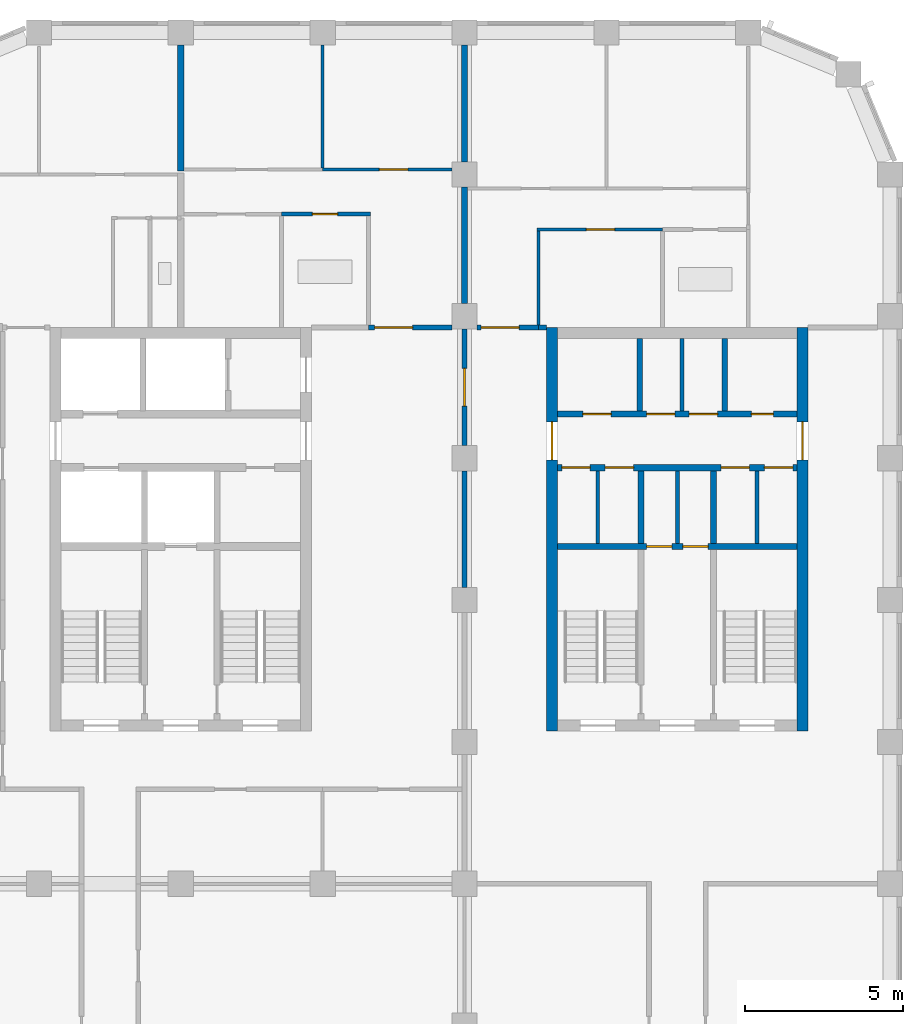
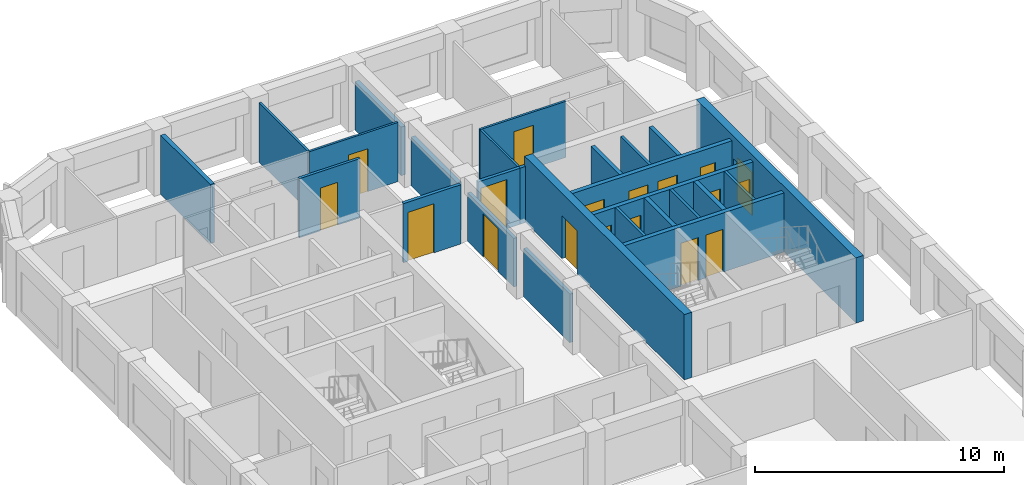
# One storey, part 6 of 10: 26 walls, 18 doors, 18 openings.
"""IFC4 building model written with IfcOpenShell, lengths in metres."""

import ifcopenshell
import ifcopenshell.guid

model = None  # the IFC model being written
_history = None  # IfcOwnerHistory: only IFC2X3 demands one
_inside = {}  # id of a spatial element -> (the spatial element, [elements in it])
_under = {}  # id of a project, library or spatial element -> (it, [spatial elements below it])
_declared = {}  # id of a project -> (the project, [libraries it declares])
_typed = {}  # id of a type object -> (the type object, [elements of that type])
_made_of = {}  # id of a material, layer set ... -> (it, [elements and type objects made of it])


def new_model(schema):
    """Start an empty IFC model of exactly this schema.

    Asked for "IFC4X3", IfcOpenShell would pick the latest addendum, in which some entities
    have other attributes; the version numbers below select the first issue.
    IFC2X3 requires an IfcOwnerHistory on every rooted entity: one is made here for all.
    """
    global model, _history
    if schema == "IFC4X3":
        model = ifcopenshell.file(schema_version=(4, 3, 0, 0))
    else:
        model = ifcopenshell.file(schema=schema)
    _inside.clear()
    _under.clear()
    _declared.clear()
    _typed.clear()
    _made_of.clear()
    _history = None
    if model.schema == "IFC2X3":
        org = make("IfcOrganization", Name="unknown")
        user = make(
            "IfcPersonAndOrganization",
            ThePerson=make("IfcPerson", FamilyName="unknown"),
            TheOrganization=org,
        )
        app = make(
            "IfcApplication",
            ApplicationDeveloper=org,
            Version="unknown",
            ApplicationFullName="unknown",
            ApplicationIdentifier="unknown",
        )
        _history = make(
            "IfcOwnerHistory",
            OwningUser=user,
            OwningApplication=app,
            ChangeAction="ADDED",
            CreationDate=0,
        )
    return model


def make(cls, **values):
    """One entity of the class cls with the attributes given. An attribute that is None is left unset."""
    return model.create_entity(
        cls, **{name: value for name, value in values.items() if value is not None}
    )


def rooted(cls, **values):
    """An entity with a GlobalId (a new one), such as an element, a storey or a relation."""
    return make(cls, GlobalId=ifcopenshell.guid.new(), OwnerHistory=_history, **values)


def si_unit(unit_type, name, prefix=None):
    """IfcSIUnit, for example si_unit("LENGTHUNIT", "METRE", prefix="MILLI")."""
    return make("IfcSIUnit", UnitType=unit_type, Prefix=prefix, Name=name)


def assignment(units):
    """IfcUnitAssignment: the units of a project."""
    return None if units is None else make("IfcUnitAssignment", Units=units)


def point(xyz):
    """IfcCartesianPoint."""
    return None if xyz is None else make("IfcCartesianPoint", Coordinates=xyz)


def direction(xyz):
    """IfcDirection."""
    return None if xyz is None else make("IfcDirection", DirectionRatios=xyz)


def frame(location, z_axis=None, x_axis=None):
    """IfcAxis2Placement3D, a coordinate frame: its origin and axes. An axis left out is left unset."""
    return make(
        "IfcAxis2Placement3D",
        Location=point(location),
        Axis=direction(z_axis),
        RefDirection=direction(x_axis),
    )


def frame_2d(location, x_axis=None):
    """IfcAxis2Placement2D, a coordinate frame in the plane: its origin and x axis."""
    return make(
        "IfcAxis2Placement2D", Location=point(location), RefDirection=direction(x_axis)
    )


def origin():
    """The frame at (0, 0, 0) with its axes left unset."""
    return frame((0.0, 0.0, 0.0))


def place(relative_to, where):
    """IfcLocalPlacement: puts the frame where relative to a parent placement (None: the world)."""
    return make(
        "IfcLocalPlacement", PlacementRelTo=relative_to, RelativePlacement=where
    )


def context(
    kind, dimensions, precision=None, world=None, true_north=None, identifier=None
):
    """IfcGeometricRepresentationContext, for example the 3D "Model" context."""
    return make(
        "IfcGeometricRepresentationContext",
        ContextIdentifier=identifier,
        ContextType=kind,
        CoordinateSpaceDimension=dimensions,
        Precision=precision,
        WorldCoordinateSystem=world,
        TrueNorth=true_north,
    )


def subcontext(parent, identifier, kind, view, scale=None):
    """IfcGeometricRepresentationSubContext, for example "Body" below "Model"."""
    return make(
        "IfcGeometricRepresentationSubContext",
        ContextIdentifier=identifier,
        ContextType=kind,
        ParentContext=parent,
        TargetScale=scale,
        TargetView=view,
    )


def project(units=None, contexts=None):
    """IfcProject with its units and contexts."""
    return rooted(
        "IfcProject",
        Name="project",
        RepresentationContexts=contexts,
        UnitsInContext=assignment(units),
    )


def spatial(cls, under=None, at=None, **own):
    """A site, building, storey or space (cls), placed at a placement, below another one or the project."""
    s = rooted(cls, ObjectPlacement=at, **own)
    if under is not None:
        _under.setdefault(under.id(), (under, []))[1].append(s)
    return s


def profile(cls, at=None, kind="AREA", **sizes):
    """A parametric profile (cls). Its sizes go by their IFC names, for example OverallWidth=200.0."""
    return make(cls, ProfileType=kind, Position=at, **sizes)


def rectangle(**sizes):
    """IfcRectangleProfileDef."""
    return profile("IfcRectangleProfileDef", **sizes)


def extrude(swept, where, along, depth):
    """IfcExtrudedAreaSolid: the profile swept, set in the frame where, extruded along a direction by depth."""
    return make(
        "IfcExtrudedAreaSolid",
        SweptArea=swept,
        Position=where,
        ExtrudedDirection=direction(along),
        Depth=depth,
    )


def shape(context_of_items, identifier, shape_type, items):
    """IfcShapeRepresentation: the items that make up one representation, for example the "Body"."""
    return make(
        "IfcShapeRepresentation",
        ContextOfItems=context_of_items,
        RepresentationIdentifier=identifier,
        RepresentationType=shape_type,
        Items=items,
    )


def material(Name=None, Category=None):
    """IfcMaterial."""
    return make("IfcMaterial", Name=Name, Category=Category)


def layer(
    of_material, thickness, ventilated=None, Name=None, Category=None, Priority=None
):
    """IfcMaterialLayer: one layer of a wall or slab, of a material (None: an air gap)."""
    return make(
        "IfcMaterialLayer",
        Material=of_material,
        LayerThickness=thickness,
        IsVentilated=ventilated,
        Name=Name,
        Category=Category,
        Priority=Priority,
    )


def layer_set(layers, Name=None):
    """IfcMaterialLayerSet."""
    return make("IfcMaterialLayerSet", MaterialLayers=layers, LayerSetName=Name)


def made_of(thing, what):
    """Note that an element or type object is made of a material, layer set ...; save() writes the relation."""
    if what is not None:
        _made_of.setdefault(what.id(), (what, []))[1].append(thing)
    return thing


def type_object(cls, material=None, **own):
    """A type object (cls), such as IfcWallType, which elements share."""
    return made_of(rooted(cls, **own), material)


def element(
    cls,
    number,
    at=None,
    inside=None,
    cuts=None,
    type_object=None,
    material=None,
    context=None,
    identifier="Body",
    shape_type=None,
    held_by="IfcProductDefinitionShape",
    body=None,
    shapes=None,
    **own,
):
    """One element of the class cls, such as IfcWall. Its Tag is "e" and its number.

    at: its placement. inside: the storey or other place that contains it. cuts: it is an
    opening in that element (IfcRelVoidsElement). A single representation is given by context,
    identifier, shape_type and body (its items); several are given by shapes. held_by: the class
    of the entity that holds the representations. save() writes the other relations.
    """
    e = rooted(cls, Tag="e%d" % number, ObjectPlacement=at, **own)
    if body is not None:
        shapes = [shape(context, identifier, shape_type, body)]
    if shapes is not None:
        e.Representation = make(held_by, Representations=shapes)
    if inside is not None:
        _inside.setdefault(inside.id(), (inside, []))[1].append(e)
    if cuts is not None:
        rooted(
            "IfcRelVoidsElement", RelatingBuildingElement=cuts, RelatedOpeningElement=e
        )
    if type_object is not None:
        _typed.setdefault(type_object.id(), (type_object, []))[1].append(e)
    return made_of(e, material)


def fill(opening, filler):
    """IfcRelFillsElement: the door or window that sits in an opening."""
    return rooted(
        "IfcRelFillsElement",
        RelatingOpeningElement=opening,
        RelatedBuildingElement=filler,
    )


def aggregate(whole, parts):
    """IfcRelAggregates: a whole, such as a stair, and the parts it consists of."""
    return rooted("IfcRelAggregates", RelatingObject=whole, RelatedObjects=parts)


def save(model, path):
    """Write the relations noted so far, then the file.

    IfcRelAggregates (storeys below a building ...), IfcRelContainedInSpatialStructure (elements
    in a storey), IfcRelDefinesByType, IfcRelAssociatesMaterial and IfcRelDeclares: one each for
    every whole, place, type object, material and project.
    """
    for whole, parts in _under.values():
        aggregate(whole, parts)
    for where, things in _inside.values():
        rooted(
            "IfcRelContainedInSpatialStructure",
            RelatedElements=things,
            RelatingStructure=where,
        )
    for kind, things in _typed.values():
        rooted("IfcRelDefinesByType", RelatedObjects=things, RelatingType=kind)
    for what, things in _made_of.values():
        rooted("IfcRelAssociatesMaterial", RelatedObjects=things, RelatingMaterial=what)
    for by, libraries in _declared.values():
        rooted("IfcRelDeclares", RelatingContext=by, RelatedDefinitions=libraries)
    model.write(path)


model = new_model("IFC4")

# Units and contexts
model_context = context("Model", 3, precision=1e-05, world=origin(), true_north=direction((0.0, 1.0)))
body_context = subcontext(model_context, "Body", "Model", "MODEL_VIEW")
ifc_project = project(units=[si_unit("LENGTHUNIT", "METRE"), si_unit("AREAUNIT", "SQUARE_METRE"), si_unit("VOLUMEUNIT", "CUBIC_METRE"), si_unit("PLANEANGLEUNIT", "RADIAN"), si_unit("MASSUNIT", "GRAM", prefix="KILO")], contexts=[model_context])

# Site, building, storey
site_placement = place(None, origin())
site = spatial("IfcSite", under=ifc_project, at=site_placement, CompositionType="ELEMENT")
building_placement = place(site_placement, origin())
building = spatial("IfcBuilding", under=site, at=building_placement, Name="Girih Gate Residences", CompositionType="ELEMENT")
storey_placement = place(building_placement, frame((0.0, 0.0, 210.094970703125)))
storey = spatial("IfcBuildingStorey", under=building, at=storey_placement, Name="L58", CompositionType="ELEMENT", Elevation=210.094970703125)

# Wall, opening, door
ifc_material_1 = material(Name="Gypsum board on steel studs", Category="steel")
ifc_layer_1 = layer(ifc_material_1, 0.14990234375)
ifc_layer_set_1 = layer_set([ifc_layer_1], Name="Compartment wall 150 mm")
wall_type_1 = type_object("IfcWallType", Name="Compartment wall 150 mm", PredefinedType="PARTITIONING", material=ifc_layer_set_1)
wall_1_placement = place(storey_placement, frame((14.949951171875, 40.14990234375, 0.0), z_axis=(0.0, 0.0, 1.0), x_axis=(1.0, 0.0, 0.0)))
wall_1 = element("IfcWall", 1, at=wall_1_placement, inside=storey, type_object=wall_type_1, Name="L58 partition", PredefinedType="PARTITIONING", context=body_context, shape_type="SweptSolid", body=[
    extrude(rectangle(XDim=2.650146484375, YDim=0.14990234375, at=frame_2d((1.3251953125, 0.0))), origin(), (0.0, 0.0, 1.0), 2.900146484375),
])
opening_1_placement = place(wall_1_placement, frame((0.199951171875, 0.0, 0.0)))
opening_1 = element("IfcOpeningElement", 2, at=opening_1_placement, cuts=wall_1, Name="Opening A58-016", PredefinedType="OPENING", context=body_context, shape_type="SweptSolid", body=[
    extrude(rectangle(XDim=1.199951171875, YDim=2.39990234375, at=frame_2d((0.60009765625, 1.199951171875))), frame((0.0, 0.0849609375, 0.0), z_axis=(0.0, -1.0, 0.0), x_axis=(1.0, 0.0, 0.0)), (0.0, 0.0, 1.0), 0.169921875),
])
ifc_material_2 = material(Name="Timber, fire-rated core", Category="wood")
door_type_1 = type_object("IfcDoorType", Name="Villa entrance door 1200x2400 FD30S", OperationType="NOTDEFINED", PredefinedType="DOOR", material=ifc_material_2)
door_1_placement = place(opening_1_placement, origin())
door_1 = element("IfcDoor", 3, at=door_1_placement, inside=storey, type_object=door_type_1, Name="Door A58-016", OperationType="SINGLE_SWING_LEFT", OverallHeight=2.39990234375, OverallWidth=1.199951171875, PredefinedType="DOOR", context=body_context, shape_type="SweptSolid", body=[
    extrude(rectangle(XDim=1.199951171875, YDim=2.39990234375, at=frame_2d((0.60009765625, 1.199951171875))), frame((0.0, 0.02490234375, 0.0), z_axis=(0.0, -1.0, 0.0), x_axis=(1.0, 0.0, 0.0)), (0.0, 0.0, 1.0), 0.050048828125),
])
fill(opening_1, door_1)

wall_2_placement = place(storey_placement, frame((18.39990234375, 40.14990234375, 0.0), z_axis=(0.0, 0.0, 1.0), x_axis=(1.0, 0.0, 0.0)))
wall_2 = element("IfcWall", 4, at=wall_2_placement, inside=storey, type_object=wall_type_1, Name="L58 partition", PredefinedType="PARTITIONING", context=body_context, shape_type="SweptSolid", body=[
    extrude(rectangle(XDim=1.9501953125, YDim=0.14990234375, at=frame_2d((0.97509765625, 0.0))), origin(), (0.0, 0.0, 1.0), 2.75),
])
opening_2_placement = place(wall_2_placement, frame((0.1298828125, 0.0, 0.0)))
opening_2 = element("IfcOpeningElement", 5, at=opening_2_placement, cuts=wall_2, Name="Opening A58-022", PredefinedType="OPENING", context=body_context, shape_type="SweptSolid", body=[
    extrude(rectangle(XDim=1.199951171875, YDim=2.39990234375, at=frame_2d((0.60009765625, 1.199951171875))), frame((0.0, 0.0849609375, 0.0), z_axis=(0.0, -1.0, 0.0), x_axis=(1.0, 0.0, 0.0)), (0.0, 0.0, 1.0), 0.169921875),
])
door_2_placement = place(opening_2_placement, origin())
door_2 = element("IfcDoor", 6, at=door_2_placement, inside=storey, type_object=door_type_1, Name="Door A58-022", OperationType="SINGLE_SWING_LEFT", OverallHeight=2.39990234375, OverallWidth=1.199951171875, PredefinedType="DOOR", context=body_context, shape_type="SweptSolid", body=[
    extrude(rectangle(XDim=1.199951171875, YDim=2.39990234375, at=frame_2d((0.60009765625, 1.199951171875))), frame((0.0, 0.02490234375, 0.0), z_axis=(0.0, -1.0, 0.0), x_axis=(1.0, 0.0, 0.0)), (0.0, 0.0, 1.0), 0.050048828125),
])
fill(opening_2, door_2)

# Walls
wall_3_placement = place(storey_placement, frame((20.35009765625, 40.14990234375, 0.0), z_axis=(0.0, 0.0, 1.0), x_axis=(1.0, 0.0, 0.0)))
element("IfcWall", 7, at=wall_3_placement, inside=storey, type_object=wall_type_1, Name="L58 partition", PredefinedType="PARTITIONING", context=body_context, shape_type="SweptSolid", body=[
    extrude(rectangle(XDim=0.25, YDim=0.14990234375, at=frame_2d((0.125, 0.0))), origin(), (0.0, 0.0, 1.0), 2.75),
])
wall_4_placement = place(storey_placement, frame((18.0, 31.89990234375, 0.0), z_axis=(0.0, 0.0, 1.0), x_axis=(0.0, 1.0, 0.0)))
element("IfcWall", 8, at=wall_4_placement, inside=storey, type_object=wall_type_1, Name="L58 partition", PredefinedType="PARTITIONING", context=body_context, shape_type="SweptSolid", body=[
    extrude(rectangle(XDim=3.7001953125, YDim=0.14990234375, at=frame_2d((1.85009765625, 0.0))), origin(), (0.0, 0.0, 1.0), 2.380126953125),
])

# Wall, opening, door
wall_5_placement = place(storey_placement, frame((18.0, 40.10009765625, 0.0), z_axis=(0.0, 0.0, 1.0), x_axis=(0.0, -1.0, 0.0)))
wall_5 = element("IfcWall", 9, at=wall_5_placement, inside=storey, type_object=wall_type_1, Name="L58 partition", PredefinedType="PARTITIONING", context=body_context, shape_type="SweptSolid", body=[
    extrude(rectangle(XDim=3.7001953125, YDim=0.14990234375, at=frame_2d((1.85009765625, 0.0))), origin(), (0.0, 0.0, 1.0), 2.380126953125),
])
opening_3_placement = place(wall_5_placement, frame((1.25, 0.0, 0.0)))
opening_3 = element("IfcOpeningElement", 10, at=opening_3_placement, cuts=wall_5, Name="Opening A58-024", PredefinedType="OPENING", context=body_context, shape_type="SweptSolid", body=[
    extrude(rectangle(XDim=1.199951171875, YDim=2.10009765625, at=frame_2d((0.60009765625, 1.050048828125))), frame((0.0, 0.0849609375, 0.0), z_axis=(0.0, -1.0, 0.0), x_axis=(1.0, 0.0, 0.0)), (0.0, 0.0, 1.0), 0.169921875),
])
door_type_2 = type_object("IfcDoorType", Name="Corridor fire door 1200x2100 FD30S", OperationType="NOTDEFINED", PredefinedType="DOOR", material=ifc_material_2)
door_3_placement = place(opening_3_placement, origin())
door_3 = element("IfcDoor", 11, at=door_3_placement, inside=storey, type_object=door_type_2, Name="Door A58-024", OperationType="SINGLE_SWING_LEFT", OverallHeight=2.10009765625, OverallWidth=1.199951171875, PredefinedType="DOOR", context=body_context, shape_type="SweptSolid", body=[
    extrude(rectangle(XDim=1.199951171875, YDim=2.10009765625, at=frame_2d((0.60009765625, 1.050048828125))), frame((0.0, 0.02490234375, 0.0), z_axis=(0.0, -1.0, 0.0), x_axis=(1.0, 0.0, 0.0)), (0.0, 0.0, 1.0), 0.050048828125),
])
fill(opening_3, door_3)

ifc_layer_2 = layer(ifc_material_1, 0.10009765625)
ifc_layer_set_2 = layer_set([ifc_layer_2], Name="Partition 100 mm")
wall_type_2 = type_object("IfcWallType", Name="Partition 100 mm", PredefinedType="PARTITIONING", material=ifc_layer_set_2)
wall_6_placement = place(storey_placement, frame((13.5, 45.159912109375, 0.0), z_axis=(0.0, 0.0, 1.0), x_axis=(1.0, 0.0, 0.0)))
wall_6 = element("IfcWall", 12, at=wall_6_placement, inside=storey, type_object=wall_type_2, Name="L58 partition", PredefinedType="PARTITIONING", context=body_context, shape_type="SweptSolid", body=[
    extrude(rectangle(XDim=4.10009765625, YDim=0.10009765625, at=frame_2d((2.050048828125, 0.0))), origin(), (0.0, 0.0, 1.0), 2.900146484375),
])
opening_4_placement = place(wall_6_placement, frame((1.800048828125, 0.0, 0.0)))
opening_4 = element("IfcOpeningElement", 13, at=opening_4_placement, cuts=wall_6, Name="Opening A58-013", PredefinedType="OPENING", context=body_context, shape_type="SweptSolid", body=[
    extrude(rectangle(XDim=0.89990234375, YDim=2.10009765625, at=frame_2d((0.449951171875, 1.050048828125))), frame((0.0, 0.06005859375, 0.0), z_axis=(0.0, -1.0, 0.0), x_axis=(1.0, 0.0, 0.0)), (0.0, 0.0, 1.0), 0.1201171875),
])
ifc_material_3 = material(Name="Timber", Category="wood")
door_type_3 = type_object("IfcDoorType", Name="Bedroom door 900x2100", OperationType="NOTDEFINED", PredefinedType="DOOR", material=ifc_material_3)
door_4_placement = place(opening_4_placement, origin())
door_4 = element("IfcDoor", 14, at=door_4_placement, inside=storey, type_object=door_type_3, Name="Door A58-013", OperationType="SINGLE_SWING_RIGHT", OverallHeight=2.10009765625, OverallWidth=0.89990234375, PredefinedType="DOOR", context=body_context, shape_type="SweptSolid", body=[
    extrude(rectangle(XDim=0.89990234375, YDim=2.10009765625, at=frame_2d((0.449951171875, 1.050048828125))), frame((0.0, 0.02490234375, 0.0), z_axis=(0.0, -1.0, 0.0), x_axis=(1.0, 0.0, 0.0)), (0.0, 0.0, 1.0), 0.050048828125),
])
fill(opening_4, door_4)

# Wall
wall_7_placement = place(storey_placement, frame((13.5, 45.2099609375, 0.0), z_axis=(0.0, 0.0, 1.0), x_axis=(0.0, 1.0, 0.0)))
element("IfcWall", 15, at=wall_7_placement, inside=storey, type_object=wall_type_2, Name="L58 partition", PredefinedType="PARTITIONING", context=body_context, shape_type="SweptSolid", body=[
    extrude(rectangle(XDim=3.89013671875, YDim=0.10009765625, at=frame_2d((1.945068359375, 0.0))), origin(), (0.0, 0.0, 1.0), 2.900146484375),
])

# Wall, opening, door
wall_8_placement = place(storey_placement, frame((24.2783203125, 43.260009765625, 0.0), z_axis=(0.0, 0.0, 1.0), x_axis=(-1.0, 0.0, 0.0)))
wall_8 = element("IfcWall", 16, at=wall_8_placement, inside=storey, type_object=wall_type_2, Name="L58 partition", PredefinedType="PARTITIONING", context=body_context, shape_type="SweptSolid", body=[
    extrude(rectangle(XDim=3.978271484375, YDim=0.10009765625, at=frame_2d((1.9892578125, 0.0))), origin(), (0.0, 0.0, 1.0), 2.75),
])
opening_5_placement = place(wall_8_placement, frame((1.51416015625, 0.0, 0.0)))
opening_5 = element("IfcOpeningElement", 17, at=opening_5_placement, cuts=wall_8, Name="Opening A58-020", PredefinedType="OPENING", context=body_context, shape_type="SweptSolid", body=[
    extrude(rectangle(XDim=0.89990234375, YDim=2.10009765625, at=frame_2d((0.449951171875, 1.050048828125))), frame((0.0, 0.06005859375, 0.0), z_axis=(0.0, -1.0, 0.0), x_axis=(1.0, 0.0, 0.0)), (0.0, 0.0, 1.0), 0.1201171875),
])
door_type_4 = type_object("IfcDoorType", Name="Kitchen door 900x2100", OperationType="NOTDEFINED", PredefinedType="DOOR", material=ifc_material_3)
door_5_placement = place(opening_5_placement, origin())
door_5 = element("IfcDoor", 18, at=door_5_placement, inside=storey, type_object=door_type_4, Name="Door A58-020", OperationType="SINGLE_SWING_LEFT", OverallHeight=2.10009765625, OverallWidth=0.89990234375, PredefinedType="DOOR", context=body_context, shape_type="SweptSolid", body=[
    extrude(rectangle(XDim=0.89990234375, YDim=2.10009765625, at=frame_2d((0.449951171875, 1.050048828125))), frame((0.0, 0.02490234375, 0.0), z_axis=(0.0, -1.0, 0.0), x_axis=(1.0, 0.0, 0.0)), (0.0, 0.0, 1.0), 0.050048828125),
])
fill(opening_5, door_5)

# Walls
wall_9_placement = place(storey_placement, frame((20.35009765625, 40.22509765625, 0.0), z_axis=(0.0, 0.0, 1.0), x_axis=(0.0, 1.0, 0.0)))
element("IfcWall", 19, at=wall_9_placement, inside=storey, type_object=wall_type_2, Name="L58 partition", PredefinedType="PARTITIONING", context=body_context, shape_type="SweptSolid", body=[
    extrude(rectangle(XDim=2.98486328125, YDim=0.10009765625, at=frame_2d((1.492431640625, 0.0))), origin(), (0.0, 0.0, 1.0), 2.75),
])
ifc_layer_3 = layer(ifc_material_1, 0.199951171875)
ifc_layer_set_3 = layer_set([ifc_layer_3], Name="Party wall 200 mm")
wall_type_3 = type_object("IfcWallType", Name="Party wall 200 mm", PredefinedType="PARTITIONING", material=ifc_layer_set_3)
wall_10_placement = place(storey_placement, frame((9.0, 45.110107421875, 0.0), z_axis=(0.0, 0.0, 1.0), x_axis=(0.0, 1.0, 0.0)))
element("IfcWall", 20, at=wall_10_placement, inside=storey, type_object=wall_type_3, Name="L58 partition", PredefinedType="PARTITIONING", context=body_context, shape_type="SweptSolid", body=[
    extrude(rectangle(XDim=3.989990234375, YDim=0.199951171875, at=frame_2d((1.9951171875, 0.0))), origin(), (0.0, 0.0, 1.0), 2.900146484375),
])
wall_11_placement = place(storey_placement, frame((18.0, 45.39990234375, 0.0), z_axis=(0.0, 0.0, 1.0), x_axis=(0.0, 1.0, 0.0)))
element("IfcWall", 21, at=wall_11_placement, inside=storey, type_object=wall_type_3, Name="L58 partition", PredefinedType="PARTITIONING", context=body_context, shape_type="SweptSolid", body=[
    extrude(rectangle(XDim=3.7001953125, YDim=0.199951171875, at=frame_2d((1.85009765625, 0.0))), origin(), (0.0, 0.0, 1.0), 2.380126953125),
])
wall_12_placement = place(storey_placement, frame((18.0, 40.89990234375, 0.0), z_axis=(0.0, 0.0, 1.0), x_axis=(0.0, 1.0, 0.0)))
element("IfcWall", 22, at=wall_12_placement, inside=storey, type_object=wall_type_3, Name="L58 partition", PredefinedType="PARTITIONING", context=body_context, shape_type="SweptSolid", body=[
    extrude(rectangle(XDim=3.710205078125, YDim=0.199951171875, at=frame_2d((1.85498046875, 0.0))), origin(), (0.0, 0.0, 1.0), 2.380126953125),
])
ifc_material_4 = material(Name="Concrete C40/50", Category="concrete")
ifc_layer_4 = layer(ifc_material_4, 0.175048828125)
ifc_layer_set_4 = layer_set([ifc_layer_4], Name="Riser shaft wall 175")
wall_type_4 = type_object("IfcWallType", Name="Riser shaft wall 175", PredefinedType="SOLIDWALL", material=ifc_layer_set_4)
for number, where, z_axis, x_axis, name in (
    (23, (23.550048828125, 37.5, 0.0), (0.0, 0.0, 1.0), (0.0, 1.0, 0.0), "L58 C core wall V1c"),
    (24, (26.25, 37.5, 0.0), (0.0, 0.0, 1.0), (0.0, 1.0, 0.0), "L58 C core wall V2c"),
):
    element("IfcWall", number, at=place(storey_placement, frame(where, z_axis=z_axis, x_axis=x_axis)), inside=storey, type_object=wall_type_4, Name=name, PredefinedType="SOLIDWALL", context=body_context, shape_type="SweptSolid", body=[
        extrude(rectangle(XDim=2.300048828125, YDim=0.175048828125, at=frame_2d((1.14990234375, 0.0))), origin(), (0.0, 0.0, 1.0), 2.900146484375),
    ])

# Wall, openings, doors
ifc_layer_5 = layer(ifc_material_4, 0.199951171875)
ifc_layer_set_5 = layer_set([ifc_layer_5], Name="Shaft wall 200")
wall_type_5 = type_object("IfcWallType", Name="Shaft wall 200", PredefinedType="SOLIDWALL", material=ifc_layer_set_5)
wall_13_placement = place(storey_placement, frame((20.949951171875, 33.199951171875, 0.0), z_axis=(0.0, 0.0, 1.0), x_axis=(1.0, 0.0, 0.0)))
wall_13 = element("IfcWall", 25, at=wall_13_placement, inside=storey, type_object=wall_type_5, Name="L58 C core wall H1", PredefinedType="SOLIDWALL", context=body_context, shape_type="SweptSolid", body=[
    extrude(rectangle(XDim=7.60009765625, YDim=0.199951171875, at=frame_2d((3.800048828125, 0.0))), origin(), (0.0, 0.0, 1.0), 2.900146484375),
])
opening_6_placement = place(wall_13_placement, frame((2.824951171875, 0.0, 0.0)))
opening_6 = element("IfcOpeningElement", 26, at=opening_6_placement, cuts=wall_13, Name="Opening D-L58-C-011", PredefinedType="OPENING", context=body_context, shape_type="SweptSolid", body=[
    extrude(rectangle(XDim=0.800048828125, YDim=2.10009765625, at=frame_2d((0.39990234375, 1.050048828125))), frame((0.0, 0.10986328125, 0.0), z_axis=(0.0, -1.0, 0.0), x_axis=(1.0, 0.0, 0.0)), (0.0, 0.0, 1.0), 0.219970703125),
])
opening_7_placement = place(wall_13_placement, frame((3.97509765625, 0.0, 0.0)))
opening_7 = element("IfcOpeningElement", 27, at=opening_7_placement, cuts=wall_13, Name="Opening D-L58-C-012", PredefinedType="OPENING", context=body_context, shape_type="SweptSolid", body=[
    extrude(rectangle(XDim=0.800048828125, YDim=2.10009765625, at=frame_2d((0.39990234375, 1.050048828125))), frame((0.0, 0.10986328125, 0.0), z_axis=(0.0, -1.0, 0.0), x_axis=(1.0, 0.0, 0.0)), (0.0, 0.0, 1.0), 0.219970703125),
])
ifc_material_5 = material(Name="Painted steel, fire-resisting", Category="steel")
door_type_5 = type_object("IfcDoorType", Name="Fire door 800x2100", OperationType="SINGLE_SWING_LEFT", PredefinedType="DOOR", material=ifc_material_5)
door_6_placement = place(opening_6_placement, origin())
door_6 = element("IfcDoor", 28, at=door_6_placement, inside=storey, type_object=door_type_5, Name="L58 C store door", OperationType="SINGLE_SWING_LEFT", OverallHeight=2.10009765625, OverallWidth=0.800048828125, PredefinedType="DOOR", context=body_context, shape_type="SweptSolid", body=[
    extrude(rectangle(XDim=0.800048828125, YDim=2.10009765625, at=frame_2d((0.39990234375, 1.050048828125))), frame((0.0, 0.02490234375, 0.0), z_axis=(0.0, -1.0, 0.0), x_axis=(1.0, 0.0, 0.0)), (0.0, 0.0, 1.0), 0.050048828125),
])
fill(opening_6, door_6)
door_7_placement = place(opening_7_placement, origin())
door_7 = element("IfcDoor", 29, at=door_7_placement, inside=storey, type_object=door_type_5, Name="L58 C comms room door", OperationType="SINGLE_SWING_LEFT", OverallHeight=2.10009765625, OverallWidth=0.800048828125, PredefinedType="DOOR", context=body_context, shape_type="SweptSolid", body=[
    extrude(rectangle(XDim=0.800048828125, YDim=2.10009765625, at=frame_2d((0.39990234375, 1.050048828125))), frame((0.0, 0.02490234375, 0.0), z_axis=(0.0, -1.0, 0.0), x_axis=(1.0, 0.0, 0.0)), (0.0, 0.0, 1.0), 0.050048828125),
])
fill(opening_7, door_7)

wall_14_placement = place(storey_placement, frame((20.949951171875, 35.699951171875, 0.0), z_axis=(0.0, 0.0, 1.0), x_axis=(1.0, 0.0, 0.0)))
wall_14 = element("IfcWall", 30, at=wall_14_placement, inside=storey, type_object=wall_type_5, Name="L58 C core wall H2", PredefinedType="SOLIDWALL", context=body_context, shape_type="SweptSolid", body=[
    extrude(rectangle(XDim=7.60009765625, YDim=0.199951171875, at=frame_2d((3.800048828125, 0.0))), origin(), (0.0, 0.0, 1.0), 2.900146484375),
])
opening_8_placement = place(wall_14_placement, frame((0.137451171875, 0.0, 0.0)))
opening_8 = element("IfcOpeningElement", 31, at=opening_8_placement, cuts=wall_14, Name="Opening D-L58-C-004", PredefinedType="OPENING", context=body_context, shape_type="SweptSolid", body=[
    extrude(rectangle(XDim=0.89990234375, YDim=2.10009765625, at=frame_2d((0.449951171875, 1.050048828125))), frame((0.0, 0.10986328125, 0.0), z_axis=(0.0, -1.0, 0.0), x_axis=(1.0, 0.0, 0.0)), (0.0, 0.0, 1.0), 0.219970703125),
])
opening_9_placement = place(wall_14_placement, frame((1.512451171875, 0.0, 0.0)))
opening_9 = element("IfcOpeningElement", 32, at=opening_9_placement, cuts=wall_14, Name="Opening D-L58-C-005", PredefinedType="OPENING", context=body_context, shape_type="SweptSolid", body=[
    extrude(rectangle(XDim=0.89990234375, YDim=2.10009765625, at=frame_2d((0.449951171875, 1.050048828125))), frame((0.0, 0.10986328125, 0.0), z_axis=(0.0, -1.0, 0.0), x_axis=(1.0, 0.0, 0.0)), (0.0, 0.0, 1.0), 0.219970703125),
])
opening_10_placement = place(wall_14_placement, frame((5.1875, 0.0, 0.0)))
opening_10 = element("IfcOpeningElement", 33, at=opening_10_placement, cuts=wall_14, Name="Opening D-L58-C-006", PredefinedType="OPENING", context=body_context, shape_type="SweptSolid", body=[
    extrude(rectangle(XDim=0.89990234375, YDim=2.10009765625, at=frame_2d((0.449951171875, 1.050048828125))), frame((0.0, 0.10986328125, 0.0), z_axis=(0.0, -1.0, 0.0), x_axis=(1.0, 0.0, 0.0)), (0.0, 0.0, 1.0), 0.219970703125),
])
opening_11_placement = place(wall_14_placement, frame((6.5625, 0.0, 0.0)))
opening_11 = element("IfcOpeningElement", 34, at=opening_11_placement, cuts=wall_14, Name="Opening D-L58-C-007", PredefinedType="OPENING", context=body_context, shape_type="SweptSolid", body=[
    extrude(rectangle(XDim=0.89990234375, YDim=2.10009765625, at=frame_2d((0.449951171875, 1.050048828125))), frame((0.0, 0.10986328125, 0.0), z_axis=(0.0, -1.0, 0.0), x_axis=(1.0, 0.0, 0.0)), (0.0, 0.0, 1.0), 0.219970703125),
])
door_type_6 = type_object("IfcDoorType", Name="Fire door 900x2100", OperationType="SINGLE_SWING_LEFT", PredefinedType="DOOR", material=ifc_material_5)
door_8_placement = place(opening_8_placement, origin())
door_8 = element("IfcDoor", 35, at=door_8_placement, inside=storey, type_object=door_type_6, Name="L58 C pantry door", OperationType="SINGLE_SWING_LEFT", OverallHeight=2.10009765625, OverallWidth=0.89990234375, PredefinedType="DOOR", context=body_context, shape_type="SweptSolid", body=[
    extrude(rectangle(XDim=0.89990234375, YDim=2.10009765625, at=frame_2d((0.449951171875, 1.050048828125))), frame((0.0, 0.02490234375, 0.0), z_axis=(0.0, -1.0, 0.0), x_axis=(1.0, 0.0, 0.0)), (0.0, 0.0, 1.0), 0.050048828125),
])
fill(opening_8, door_8)
door_9_placement = place(opening_9_placement, origin())
door_9 = element("IfcDoor", 36, at=door_9_placement, inside=storey, type_object=door_type_6, Name="L58 C housekeeping store door", OperationType="SINGLE_SWING_LEFT", OverallHeight=2.10009765625, OverallWidth=0.89990234375, PredefinedType="DOOR", context=body_context, shape_type="SweptSolid", body=[
    extrude(rectangle(XDim=0.89990234375, YDim=2.10009765625, at=frame_2d((0.449951171875, 1.050048828125))), frame((0.0, 0.02490234375, 0.0), z_axis=(0.0, -1.0, 0.0), x_axis=(1.0, 0.0, 0.0)), (0.0, 0.0, 1.0), 0.050048828125),
])
fill(opening_9, door_9)
door_10_placement = place(opening_10_placement, origin())
door_10 = element("IfcDoor", 37, at=door_10_placement, inside=storey, type_object=door_type_6, Name="L58 C comms room door", OperationType="SINGLE_SWING_LEFT", OverallHeight=2.10009765625, OverallWidth=0.89990234375, PredefinedType="DOOR", context=body_context, shape_type="SweptSolid", body=[
    extrude(rectangle(XDim=0.89990234375, YDim=2.10009765625, at=frame_2d((0.449951171875, 1.050048828125))), frame((0.0, 0.02490234375, 0.0), z_axis=(0.0, -1.0, 0.0), x_axis=(1.0, 0.0, 0.0)), (0.0, 0.0, 1.0), 0.050048828125),
])
fill(opening_10, door_10)
door_11_placement = place(opening_11_placement, origin())
door_11 = element("IfcDoor", 38, at=door_11_placement, inside=storey, type_object=door_type_6, Name="L58 C it room door", OperationType="SINGLE_SWING_LEFT", OverallHeight=2.10009765625, OverallWidth=0.89990234375, PredefinedType="DOOR", context=body_context, shape_type="SweptSolid", body=[
    extrude(rectangle(XDim=0.89990234375, YDim=2.10009765625, at=frame_2d((0.449951171875, 1.050048828125))), frame((0.0, 0.02490234375, 0.0), z_axis=(0.0, -1.0, 0.0), x_axis=(1.0, 0.0, 0.0)), (0.0, 0.0, 1.0), 0.050048828125),
])
fill(opening_11, door_11)

wall_15_placement = place(storey_placement, frame((20.949951171875, 37.39990234375, 0.0), z_axis=(0.0, 0.0, 1.0), x_axis=(1.0, 0.0, 0.0)))
wall_15 = element("IfcWall", 39, at=wall_15_placement, inside=storey, type_object=wall_type_5, Name="L58 C core wall H3", PredefinedType="SOLIDWALL", context=body_context, shape_type="SweptSolid", body=[
    extrude(rectangle(XDim=7.60009765625, YDim=0.199951171875, at=frame_2d((3.800048828125, 0.0))), origin(), (0.0, 0.0, 1.0), 2.900146484375),
])
opening_12_placement = place(wall_15_placement, frame((6.14990234375, 0.0, 0.0)))
opening_12 = element("IfcOpeningElement", 40, at=opening_12_placement, cuts=wall_15, Name="Opening D-L58-C-003", PredefinedType="OPENING", context=body_context, shape_type="SweptSolid", body=[
    extrude(rectangle(XDim=0.699951171875, YDim=2.10009765625, at=frame_2d((0.35009765625, 1.050048828125))), frame((0.0, 0.10986328125, 0.0), z_axis=(0.0, -1.0, 0.0), x_axis=(1.0, 0.0, 0.0)), (0.0, 0.0, 1.0), 0.219970703125),
])
opening_13_placement = place(wall_15_placement, frame((0.800048828125, 0.0, 0.0)))
opening_13 = element("IfcOpeningElement", 41, at=opening_13_placement, cuts=wall_15, Name="Opening D-L58-C-008", PredefinedType="OPENING", context=body_context, shape_type="SweptSolid", body=[
    extrude(rectangle(XDim=0.89990234375, YDim=2.10009765625, at=frame_2d((0.449951171875, 1.050048828125))), frame((0.0, 0.10986328125, 0.0), z_axis=(0.0, -1.0, 0.0), x_axis=(1.0, 0.0, 0.0)), (0.0, 0.0, 1.0), 0.219970703125),
])
opening_14_placement = place(wall_15_placement, frame((2.824951171875, 0.0, 0.0)))
opening_14 = element("IfcOpeningElement", 42, at=opening_14_placement, cuts=wall_15, Name="Opening D-L58-C-009", PredefinedType="OPENING", context=body_context, shape_type="SweptSolid", body=[
    extrude(rectangle(XDim=0.89990234375, YDim=2.10009765625, at=frame_2d((0.449951171875, 1.050048828125))), frame((0.0, 0.10986328125, 0.0), z_axis=(0.0, -1.0, 0.0), x_axis=(1.0, 0.0, 0.0)), (0.0, 0.0, 1.0), 0.219970703125),
])
opening_15_placement = place(wall_15_placement, frame((4.175048828125, 0.0, 0.0)))
opening_15 = element("IfcOpeningElement", 43, at=opening_15_placement, cuts=wall_15, Name="Opening D-L58-C-010", PredefinedType="OPENING", context=body_context, shape_type="SweptSolid", body=[
    extrude(rectangle(XDim=0.89990234375, YDim=2.10009765625, at=frame_2d((0.449951171875, 1.050048828125))), frame((0.0, 0.10986328125, 0.0), z_axis=(0.0, -1.0, 0.0), x_axis=(1.0, 0.0, 0.0)), (0.0, 0.0, 1.0), 0.219970703125),
])
door_12_placement = place(opening_13_placement, origin())
door_12 = element("IfcDoor", 44, at=door_12_placement, inside=storey, type_object=door_type_6, Name="L58 C cleaners store door", OperationType="SINGLE_SWING_LEFT", OverallHeight=2.10009765625, OverallWidth=0.89990234375, PredefinedType="DOOR", context=body_context, shape_type="SweptSolid", body=[
    extrude(rectangle(XDim=0.89990234375, YDim=2.10009765625, at=frame_2d((0.449951171875, 1.050048828125))), frame((0.0, 0.02490234375, 0.0), z_axis=(0.0, -1.0, 0.0), x_axis=(1.0, 0.0, 0.0)), (0.0, 0.0, 1.0), 0.050048828125),
])
fill(opening_13, door_12)
door_13_placement = place(opening_14_placement, origin())
door_13 = element("IfcDoor", 45, at=door_13_placement, inside=storey, type_object=door_type_6, Name="L58 C electrical room door", OperationType="SINGLE_SWING_LEFT", OverallHeight=2.10009765625, OverallWidth=0.89990234375, PredefinedType="DOOR", context=body_context, shape_type="SweptSolid", body=[
    extrude(rectangle(XDim=0.89990234375, YDim=2.10009765625, at=frame_2d((0.449951171875, 1.050048828125))), frame((0.0, 0.02490234375, 0.0), z_axis=(0.0, -1.0, 0.0), x_axis=(1.0, 0.0, 0.0)), (0.0, 0.0, 1.0), 0.050048828125),
])
fill(opening_14, door_13)
door_14_placement = place(opening_15_placement, origin())
door_14 = element("IfcDoor", 46, at=door_14_placement, inside=storey, type_object=door_type_6, Name="L58 C pantry door", OperationType="SINGLE_SWING_LEFT", OverallHeight=2.10009765625, OverallWidth=0.89990234375, PredefinedType="DOOR", context=body_context, shape_type="SweptSolid", body=[
    extrude(rectangle(XDim=0.89990234375, YDim=2.10009765625, at=frame_2d((0.449951171875, 1.050048828125))), frame((0.0, 0.02490234375, 0.0), z_axis=(0.0, -1.0, 0.0), x_axis=(1.0, 0.0, 0.0)), (0.0, 0.0, 1.0), 0.050048828125),
])
fill(opening_15, door_14)
door_type_7 = type_object("IfcDoorType", Name="Riser access door 700x2100", OperationType="SINGLE_SWING_LEFT", PredefinedType="DOOR", material=ifc_material_5)
door_15_placement = place(opening_12_placement, origin())
door_15 = element("IfcDoor", 47, at=door_15_placement, inside=storey, type_object=door_type_7, Name="L58 C riser room door", OperationType="SINGLE_SWING_LEFT", OverallHeight=2.10009765625, OverallWidth=0.699951171875, PredefinedType="DOOR", context=body_context, shape_type="SweptSolid", body=[
    extrude(rectangle(XDim=0.699951171875, YDim=2.10009765625, at=frame_2d((0.35009765625, 1.050048828125))), frame((0.0, 0.02490234375, 0.0), z_axis=(0.0, -1.0, 0.0), x_axis=(1.0, 0.0, 0.0)), (0.0, 0.0, 1.0), 0.050048828125),
])
fill(opening_12, door_15)

# Walls
for number, where, z_axis, x_axis, name in (
    (48, (23.60009765625, 33.300048828125, 0.0), (0.0, 0.0, 1.0), (0.0, 1.0, 0.0), "L58 C core wall V1b"),
    (49, (25.89990234375, 33.300048828125, 0.0), (0.0, 0.0, 1.0), (0.0, 1.0, 0.0), "L58 C core wall V2b"),
):
    element("IfcWall", number, at=place(storey_placement, frame(where, z_axis=z_axis, x_axis=x_axis)), inside=storey, type_object=wall_type_5, Name=name, PredefinedType="SOLIDWALL", context=body_context, shape_type="SweptSolid", body=[
        extrude(rectangle(XDim=2.300048828125, YDim=0.199951171875, at=frame_2d((1.14990234375, 0.0))), origin(), (0.0, 0.0, 1.0), 2.900146484375),
    ])

# Wall, opening, door
ifc_layer_6 = layer(ifc_material_4, 0.35009765625)
ifc_layer_set_6 = layer_set([ifc_layer_6], Name="Stair core wall RC 350 Concrete C40/50")
wall_type_6 = type_object("IfcWallType", Name="Stair core wall RC 350 Concrete C40/50", PredefinedType="SOLIDWALL", material=ifc_layer_set_6)
wall_16_placement = place(storey_placement, frame((20.77490234375, 27.35009765625, 0.0), z_axis=(0.0, 0.0, 1.0), x_axis=(0.0, 1.0, 0.0)))
wall_16 = element("IfcWall", 50, at=wall_16_placement, inside=storey, type_object=wall_type_6, Name="Stair core wall C-W L58", PredefinedType="SOLIDWALL", context=body_context, shape_type="SweptSolid", body=[
    extrude(rectangle(XDim=12.7998046875, YDim=0.35009765625, at=frame_2d((6.39990234375, 0.0))), origin(), (0.0, 0.0, 1.0), 3.199951171875),
])
opening_16_placement = place(wall_16_placement, frame((8.60009765625, 0.0, 0.0)))
opening_16 = element("IfcOpeningElement", 51, at=opening_16_placement, cuts=wall_16, Name="Opening D-L58-C-016", PredefinedType="OPENING", context=body_context, shape_type="SweptSolid", body=[
    extrude(rectangle(XDim=1.199951171875, YDim=2.10009765625, at=frame_2d((0.60009765625, 1.050048828125))), frame((0.0, 0.18505859375, 0.0), z_axis=(0.0, -1.0, 0.0), x_axis=(1.0, 0.0, 0.0)), (0.0, 0.0, 1.0), 0.3701171875),
])
door_type_8 = type_object("IfcDoorType", Name="Fire door 1200x2100", OperationType="SINGLE_SWING_LEFT", PredefinedType="DOOR", material=ifc_material_5)
door_16_placement = place(opening_16_placement, origin())
door_16 = element("IfcDoor", 52, at=door_16_placement, inside=storey, type_object=door_type_8, Name="L58 C core door ll-w", OperationType="SINGLE_SWING_LEFT", OverallHeight=2.10009765625, OverallWidth=1.199951171875, PredefinedType="DOOR", context=body_context, shape_type="SweptSolid", body=[
    extrude(rectangle(XDim=1.199951171875, YDim=2.10009765625, at=frame_2d((0.60009765625, 1.050048828125))), frame((0.0, 0.02490234375, 0.0), z_axis=(0.0, -1.0, 0.0), x_axis=(1.0, 0.0, 0.0)), (0.0, 0.0, 1.0), 0.050048828125),
])
fill(opening_16, door_16)

wall_17_placement = place(storey_placement, frame((28.72509765625, 27.35009765625, 0.0), z_axis=(0.0, 0.0, 1.0), x_axis=(0.0, 1.0, 0.0)))
wall_17 = element("IfcWall", 53, at=wall_17_placement, inside=storey, type_object=wall_type_6, Name="Stair core wall C-E L58", PredefinedType="SOLIDWALL", context=body_context, shape_type="SweptSolid", body=[
    extrude(rectangle(XDim=12.7998046875, YDim=0.35009765625, at=frame_2d((6.39990234375, 0.0))), origin(), (0.0, 0.0, 1.0), 3.199951171875),
])
opening_17_placement = place(wall_17_placement, frame((8.60009765625, 0.0, 0.0)))
opening_17 = element("IfcOpeningElement", 54, at=opening_17_placement, cuts=wall_17, Name="Opening D-L58-C-017", PredefinedType="OPENING", context=body_context, shape_type="SweptSolid", body=[
    extrude(rectangle(XDim=1.199951171875, YDim=2.10009765625, at=frame_2d((0.60009765625, 1.050048828125))), frame((0.0, 0.18505859375, 0.0), z_axis=(0.0, -1.0, 0.0), x_axis=(1.0, 0.0, 0.0)), (0.0, 0.0, 1.0), 0.3701171875),
])
door_17_placement = place(opening_17_placement, origin())
door_17 = element("IfcDoor", 55, at=door_17_placement, inside=storey, type_object=door_type_8, Name="L58 C core door ll-e", OperationType="SINGLE_SWING_LEFT", OverallHeight=2.10009765625, OverallWidth=1.199951171875, PredefinedType="DOOR", context=body_context, shape_type="SweptSolid", body=[
    extrude(rectangle(XDim=1.199951171875, YDim=2.10009765625, at=frame_2d((0.60009765625, 1.050048828125))), frame((0.0, 0.02490234375, 0.0), z_axis=(0.0, -1.0, 0.0), x_axis=(1.0, 0.0, 0.0)), (0.0, 0.0, 1.0), 0.050048828125),
])
fill(opening_17, door_17)

# Walls
ifc_material_6 = material(Name="Calcium silicate blockwork", Category="masonry")
ifc_layer_7 = layer(ifc_material_6, 0.125)
ifc_layer_set_7 = layer_set([ifc_layer_7], Name="Store partition 125")
wall_type_7 = type_object("IfcWallType", Name="Store partition 125", PredefinedType="PARTITIONING", material=ifc_layer_set_7)
for number, where, z_axis, x_axis, name in (
    (56, (22.22509765625, 33.300048828125, 0.0), (0.0, 0.0, 1.0), (0.0, 1.0, 0.0), "L58 C core wall SHR1"),
    (57, (27.27490234375, 33.300048828125, 0.0), (0.0, 0.0, 1.0), (0.0, 1.0, 0.0), "L58 C core wall SHR2"),
    (58, (24.89990234375, 37.5, 0.0), (0.0, 0.0, 1.0), (0.0, 1.0, 0.0), "L58 C core wall SLR2"),
    (59, (24.75, 33.300048828125, 0.0), (0.0, 0.0, 1.0), (0.0, 1.0, 0.0), "L58 C core wall SFFS"),
):
    element("IfcWall", number, at=place(storey_placement, frame(where, z_axis=z_axis, x_axis=x_axis)), inside=storey, type_object=wall_type_7, Name=name, PredefinedType="PARTITIONING", context=body_context, shape_type="SweptSolid", body=[
        extrude(rectangle(XDim=2.300048828125, YDim=0.125, at=frame_2d((1.14990234375, 0.0))), origin(), (0.0, 0.0, 1.0), 2.900146484375),
    ])

# Wall, opening, door
ifc_layer_8 = layer(ifc_material_1, 0.125)
ifc_layer_set_8 = layer_set([ifc_layer_8], Name="Wet room wall 125 mm")
wall_type_8 = type_object("IfcWallType", Name="Wet room wall 125 mm", PredefinedType="PARTITIONING", material=ifc_layer_set_8)
wall_18_placement = place(storey_placement, frame((15.012451171875, 43.739990234375, 0.0), z_axis=(0.0, 0.0, 1.0), x_axis=(-1.0, 0.0, 0.0)))
wall_18 = element("IfcWall", 60, at=wall_18_placement, inside=storey, type_object=wall_type_8, Name="L58 partition", PredefinedType="PARTITIONING", context=body_context, shape_type="SweptSolid", body=[
    extrude(rectangle(XDim=2.8115234375, YDim=0.125, at=frame_2d((1.40576171875, 0.0))), origin(), (0.0, 0.0, 1.0), 2.900146484375),
])
opening_18_placement = place(wall_18_placement, frame((1.037109375, 0.0, 0.0)))
opening_18 = element("IfcOpeningElement", 61, at=opening_18_placement, cuts=wall_18, Name="Opening A58-012", PredefinedType="OPENING", context=body_context, shape_type="SweptSolid", body=[
    extrude(rectangle(XDim=0.800048828125, YDim=2.10009765625, at=frame_2d((0.39990234375, 1.050048828125))), frame((0.0, 0.072509765625, 0.0), z_axis=(0.0, -1.0, 0.0), x_axis=(1.0, 0.0, 0.0)), (0.0, 0.0, 1.0), 0.14501953125),
])
door_type_9 = type_object("IfcDoorType", Name="Bathroom door 800x2100", OperationType="NOTDEFINED", PredefinedType="DOOR", material=ifc_material_3)
door_18_placement = place(opening_18_placement, origin())
door_18 = element("IfcDoor", 62, at=door_18_placement, inside=storey, type_object=door_type_9, Name="Door A58-012", OperationType="SINGLE_SWING_RIGHT", OverallHeight=2.10009765625, OverallWidth=0.800048828125, PredefinedType="DOOR", context=body_context, shape_type="SweptSolid", body=[
    extrude(rectangle(XDim=0.800048828125, YDim=2.10009765625, at=frame_2d((0.39990234375, 1.050048828125))), frame((0.0, 0.02490234375, 0.0), z_axis=(0.0, -1.0, 0.0), x_axis=(1.0, 0.0, 0.0)), (0.0, 0.0, 1.0), 0.050048828125),
])
fill(opening_18, door_18)

save(model, "model.ifc")
